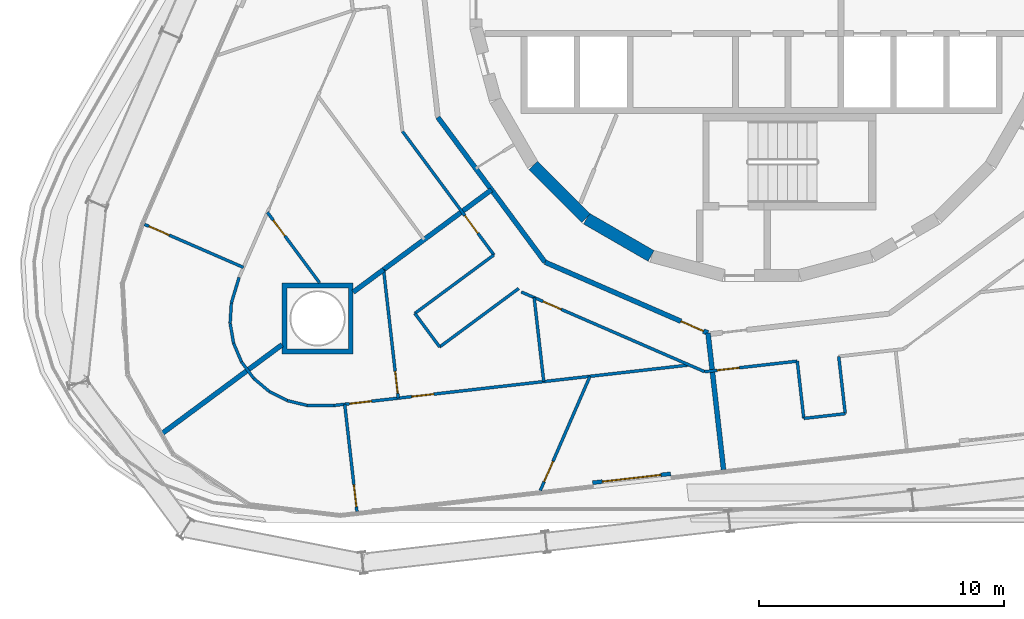
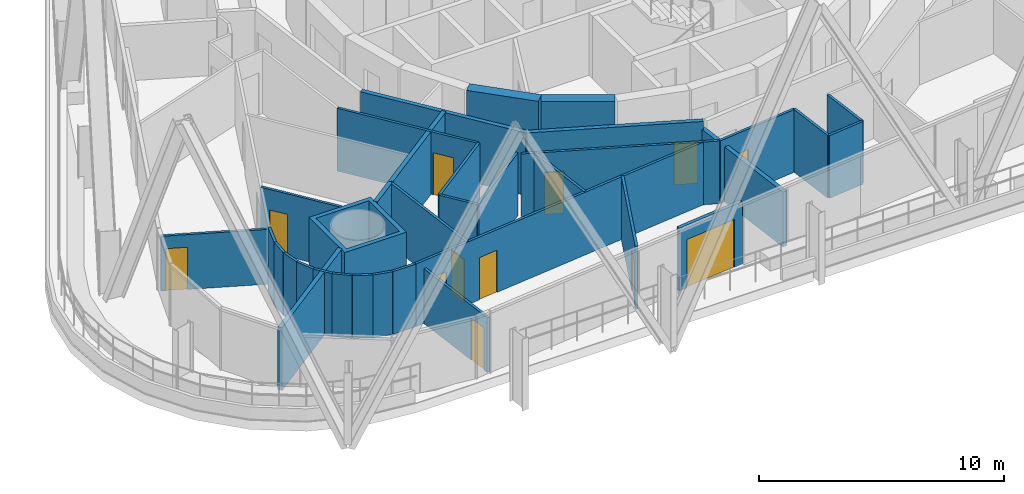
# One storey, part 16 of 32: 35 walls, 12 doors, 12 openings.
"""IFC4 building model written with IfcOpenShell, lengths in metres."""

from ifc_helpers import new_model, si_unit, direction, frame, frame_2d, origin, place, context, subcontext, project, spatial, polyline, rectangle, outline, extrude, material, layer, layer_set, type_object, element, fill, save


model = new_model("IFC4")

# Units and contexts
model_context = context("Model", 3, precision=1e-05, world=origin(), true_north=direction((0.0, 1.0)))
body_context = subcontext(model_context, "Body", "Model", "MODEL_VIEW")
ifc_project = project(units=[si_unit("LENGTHUNIT", "METRE"), si_unit("AREAUNIT", "SQUARE_METRE"), si_unit("VOLUMEUNIT", "CUBIC_METRE"), si_unit("PLANEANGLEUNIT", "RADIAN"), si_unit("MASSUNIT", "GRAM", prefix="KILO")], contexts=[model_context])

# Site, building, storey
site_placement = place(None, origin())
site = spatial("IfcSite", under=ifc_project, at=site_placement, CompositionType="ELEMENT")
building_placement = place(site_placement, origin())
building = spatial("IfcBuilding", under=site, at=building_placement, Name="Spindle Arch Residences", CompositionType="ELEMENT")
storey_placement = place(building_placement, frame((0.0, 0.0, 76.699951171875)))
storey = spatial("IfcBuildingStorey", under=building, at=storey_placement, Name="L17", CompositionType="ELEMENT", Elevation=76.699951171875)

# Walls
ifc_material_1 = material(Name="Concrete C50/60", Category="concrete")
ifc_layer_1 = layer(ifc_material_1, 0.5)
ifc_layer_set_1 = layer_set([ifc_layer_1], Name="Core outline wall 500")
wall_type_1 = type_object("IfcWallType", Name="Core outline wall 500", PredefinedType="SHEAR", material=ifc_layer_set_1)
wall_1_placement = place(storey_placement, frame((-9.30810546875, -7.163818359375, 0.0), z_axis=(0.0, 0.0, 1.0), x_axis=(0.707106781187, -0.707106781187, 0.0)))
element("IfcWall", 1, at=wall_1_placement, inside=storey, type_object=wall_type_1, Name="Core outline wall 21", PredefinedType="SHEAR", context=body_context, shape_type="SweptSolid", body=[
    extrude(rectangle(XDim=3.032470703125, YDim=0.5, at=frame_2d((1.51611328125, 0.0))), origin(), (0.0, 0.0, 1.0), 3.1201171875),
])
wall_2_placement = place(storey_placement, frame((-7.13671875, -9.32861328125, 0.0), z_axis=(0.0, 0.0, 1.0), x_axis=(0.865975092491, -0.500087131594, 0.0)))
element("IfcWall", 2, at=wall_2_placement, inside=storey, type_object=wall_type_1, Name="Core outline wall 22", PredefinedType="SHEAR", context=body_context, shape_type="SweptSolid", body=[
    extrude(rectangle(XDim=3.03271484375, YDim=0.5, at=frame_2d((1.516357421875, 0.0))), origin(), (0.0, 0.0, 1.0), 3.1201171875),
])
ifc_material_2 = material(Name="Calcium silicate block, plastered")
ifc_layer_2 = layer(ifc_material_2, 0.199951171875)
ifc_layer_set_2 = layer_set([ifc_layer_2], Name="Corridor wall 200")
wall_type_2 = type_object("IfcWallType", Name="Corridor wall 200", PredefinedType="STANDARD", material=ifc_layer_set_2)
wall_3_placement = place(storey_placement, frame((-13.1962890625, -5.1982421875, 0.0), z_axis=(0.0, 0.0, 1.0), x_axis=(0.594805187394, -0.803869883159, 0.0)))
element("IfcWall", 3, at=wall_3_placement, inside=storey, type_object=wall_type_2, Name="Corridor wall R2A0-W012", PredefinedType="STANDARD", context=body_context, shape_type="SweptSolid", body=[
    extrude(rectangle(XDim=7.341796875, YDim=0.199951171875, at=frame_2d((3.6708984375, 0.0))), origin(), (0.0, 0.0, 1.0), 3.1201171875),
])

# Wall, opening, door
wall_4_placement = place(storey_placement, frame((-8.829345703125, -11.10009765625, 0.0), z_axis=(0.0, 0.0, 1.0), x_axis=(0.917063622491, -0.398740908742, 0.0)))
wall_4 = element("IfcWall", 4, at=wall_4_placement, inside=storey, type_object=wall_type_2, Name="Corridor wall R2A0-W013", PredefinedType="STANDARD", context=body_context, shape_type="SweptSolid", body=[
    extrude(rectangle(XDim=7.239501953125, YDim=0.199951171875, at=frame_2d((3.61962890625, 0.0))), origin(), (0.0, 0.0, 1.0), 3.1201171875),
])
opening_1_placement = place(wall_4_placement, frame((6.03955078125, 0.0, 0.0)))
opening_1 = element("IfcOpeningElement", 5, at=opening_1_placement, cuts=wall_4, Name="Opening R2A0-FD05", PredefinedType="OPENING", context=body_context, shape_type="SweptSolid", body=[
    extrude(rectangle(XDim=1.0, YDim=2.10009765625, at=frame_2d((0.5, 1.050048828125))), frame((0.0, 0.10986328125, 0.0), z_axis=(0.0, -1.0, 0.0), x_axis=(1.0, 0.0, 0.0)), (0.0, 0.0, 1.0), 0.219970703125),
])
ifc_material_3 = material(Name="Timber, fire-resisting door set", Category="wood")
door_type_1 = type_object("IfcDoorType", Name="Flat entrance door 1000x2100", OperationType="NOTDEFINED", PredefinedType="DOOR", material=ifc_material_3)
door_1_placement = place(opening_1_placement, origin())
door_1 = element("IfcDoor", 6, at=door_1_placement, inside=storey, type_object=door_type_1, Name="Flat entrance door R2A0-FD05", OperationType="SINGLE_SWING_LEFT", OverallHeight=2.10009765625, OverallWidth=1.0, PredefinedType="DOOR", context=body_context, shape_type="SweptSolid", body=[
    extrude(rectangle(XDim=1.0, YDim=2.10009765625, at=frame_2d((0.5, 1.050048828125))), frame((0.0, 0.02490234375, 0.0), z_axis=(0.0, -1.0, 0.0), x_axis=(1.0, 0.0, 0.0)), (0.0, 0.0, 1.0), 0.050048828125),
])
fill(opening_1, door_1)

ifc_material_4 = material(Name="Plasterboard on steel studs", Category="steel")
ifc_layer_3 = layer(ifc_material_4, 0.1201171875)
ifc_layer_set_3 = layer_set([ifc_layer_3], Name="Flat partition 120")
wall_type_3 = type_object("IfcWallType", Name="Flat partition 120", PredefinedType="PARTITIONING", material=ifc_layer_set_3)
wall_5_placement = place(storey_placement, frame((-14.64111328125, -5.767333984375, 0.0), z_axis=(0.0, 0.0, 1.0), x_axis=(0.594825885962, -0.803854567313, 0.0)))
wall_5 = element("IfcWall", 7, at=wall_5_placement, inside=storey, type_object=wall_type_3, Name="Flat partition R2A0-W089", PredefinedType="PARTITIONING", context=body_context, shape_type="SweptSolid", body=[
    extrude(rectangle(XDim=6.26611328125, YDim=0.1201171875, at=frame_2d((3.133056640625, 0.0))), origin(), (0.0, 0.0, 1.0), 3.1201171875),
])
opening_2_placement = place(wall_5_placement, frame((4.272705078125, 0.0, 0.0)))
opening_2 = element("IfcOpeningElement", 8, at=opening_2_placement, cuts=wall_5, Name="Opening R2A0-ID23", PredefinedType="OPENING", context=body_context, shape_type="SweptSolid", body=[
    extrude(rectangle(XDim=0.89990234375, YDim=2.10009765625, at=frame_2d((0.449951171875, 1.050048828125))), frame((0.0, 0.070068359375, 0.0), z_axis=(0.0, -1.0, 0.0), x_axis=(1.0, 0.0, 0.0)), (0.0, 0.0, 1.0), 0.14013671875),
])
ifc_material_5 = material(Name="Timber door set", Category="wood")
door_type_2 = type_object("IfcDoorType", Name="Room door 900x2100", OperationType="NOTDEFINED", PredefinedType="DOOR", material=ifc_material_5)
door_2_placement = place(opening_2_placement, origin())
door_2 = element("IfcDoor", 9, at=door_2_placement, inside=storey, type_object=door_type_2, Name="Room door R2A0-ID23", OperationType="SINGLE_SWING_LEFT", OverallHeight=2.10009765625, OverallWidth=0.89990234375, PredefinedType="DOOR", context=body_context, shape_type="SweptSolid", body=[
    extrude(rectangle(XDim=0.89990234375, YDim=2.10009765625, at=frame_2d((0.449951171875, 1.050048828125))), frame((0.0, 0.02490234375, 0.0), z_axis=(0.0, -1.0, 0.0), x_axis=(1.0, 0.0, 0.0)), (0.0, 0.0, 1.0), 0.050048828125),
])
fill(opening_2, door_2)

wall_6_placement = place(storey_placement, frame((-20.144287109375, -9.068359375, 0.0), z_axis=(0.0, 0.0, 1.0), x_axis=(0.59487477233, -0.803818390711, 0.0)))
wall_6 = element("IfcWall", 10, at=wall_6_placement, inside=storey, type_object=wall_type_3, Name="Flat partition R2A0-W094", PredefinedType="PARTITIONING", context=body_context, shape_type="SweptSolid", body=[
    extrude(rectangle(XDim=3.575439453125, YDim=0.1201171875, at=frame_2d((1.78759765625, 0.0))), origin(), (0.0, 0.0, 1.0), 3.1201171875),
])
opening_3_placement = place(wall_6_placement, frame((0.39990234375, 0.0, 0.0)))
opening_3 = element("IfcOpeningElement", 11, at=opening_3_placement, cuts=wall_6, Name="Opening R2A0-BD05", PredefinedType="OPENING", context=body_context, shape_type="SweptSolid", body=[
    extrude(rectangle(XDim=0.800048828125, YDim=2.10009765625, at=frame_2d((0.39990234375, 1.050048828125))), frame((0.0, 0.070068359375, 0.0), z_axis=(0.0, -1.0, 0.0), x_axis=(1.0, 0.0, 0.0)), (0.0, 0.0, 1.0), 0.14013671875),
])
ifc_material_6 = material(Name="Timber door set", Category="wood")
door_type_3 = type_object("IfcDoorType", Name="Bathroom door 800x2100", OperationType="NOTDEFINED", PredefinedType="DOOR", material=ifc_material_6)
door_3_placement = place(opening_3_placement, origin())
door_3 = element("IfcDoor", 12, at=door_3_placement, inside=storey, type_object=door_type_3, Name="Bathroom door R2A0-BD05", OperationType="SINGLE_SWING_RIGHT", OverallHeight=2.10009765625, OverallWidth=0.800048828125, PredefinedType="DOOR", context=body_context, shape_type="SweptSolid", body=[
    extrude(rectangle(XDim=0.800048828125, YDim=2.10009765625, at=frame_2d((0.39990234375, 1.050048828125))), frame((0.0, 0.02490234375, 0.0), z_axis=(0.0, -1.0, 0.0), x_axis=(1.0, 0.0, 0.0)), (0.0, 0.0, 1.0), 0.050048828125),
])
fill(opening_3, door_3)

# Walls
for number, where, z_axis, x_axis, name in (
    (13, (-20.702880859375, -15.834716796875, 0.0), (0.0, 0.0, 1.0), (-0.594755442796, 0.803906688158, 0.0), "Flat partition R2A0-W095"),
    (14, (-21.19580078125, -15.16845703125, 0.0), (0.0, 0.0, 1.0), (-0.393528213057, 0.919312539634, 0.0), "Flat partition R2A0-W096"),
):
    element("IfcWall", number, at=place(storey_placement, frame(where, z_axis=z_axis, x_axis=x_axis)), inside=storey, type_object=wall_type_3, Name=name, PredefinedType="PARTITIONING", context=body_context, shape_type="SweptSolid", body=[
        extrude(rectangle(XDim=0.828857421875, YDim=0.1201171875, at=frame_2d((0.41455078125, 0.0))), origin(), (0.0, 0.0, 1.0), 3.1201171875),
    ])
wall_7_placement = place(storey_placement, frame((-21.52197265625, -14.406494140625, 0.0), z_axis=(0.0, 0.0, 1.0), x_axis=(-0.170794347099, 0.985306698952, 0.0)))
element("IfcWall", 15, at=wall_7_placement, inside=storey, type_object=wall_type_3, Name="Flat partition R2A0-W097", PredefinedType="PARTITIONING", context=body_context, shape_type="SweptSolid", body=[
    extrude(rectangle(XDim=0.8291015625, YDim=0.1201171875, at=frame_2d((0.41455078125, 0.0))), origin(), (0.0, 0.0, 1.0), 3.1201171875),
])
wall_8_placement = place(storey_placement, frame((-21.66357421875, -13.589599609375, 0.0), z_axis=(0.0, 0.0, 1.0), x_axis=(0.061277779288, 0.998120751095, 0.0)))
element("IfcWall", 16, at=wall_8_placement, inside=storey, type_object=wall_type_3, Name="Flat partition R2A0-W098", PredefinedType="PARTITIONING", context=body_context, shape_type="SweptSolid", body=[
    extrude(rectangle(XDim=0.82861328125, YDim=0.1201171875, at=frame_2d((0.414306640625, 0.0))), origin(), (0.0, 0.0, 1.0), 3.1201171875),
])
wall_9_placement = place(storey_placement, frame((-21.61279296875, -12.762451171875, 0.0), z_axis=(0.0, 0.0, 1.0), x_axis=(0.289552239308, 0.95716221233, 0.0)))
element("IfcWall", 17, at=wall_9_placement, inside=storey, type_object=wall_type_3, Name="Flat partition R2A0-W099", PredefinedType="PARTITIONING", context=body_context, shape_type="SweptSolid", body=[
    extrude(rectangle(XDim=1.0869140625, YDim=0.1201171875, at=frame_2d((0.54345703125, 0.0))), origin(), (0.0, 0.0, 1.0), 3.1201171875),
])
wall_10_placement = place(storey_placement, frame((-10.913818359375, -10.804443359375, 0.0), z_axis=(0.0, 0.0, 1.0), x_axis=(-0.803864616889, -0.594812304609, 0.0)))
element("IfcWall", 18, at=wall_10_placement, inside=storey, type_object=wall_type_3, Name="Flat partition R2A0-W100", PredefinedType="PARTITIONING", context=body_context, shape_type="SweptSolid", body=[
    extrude(rectangle(XDim=4.008056640625, YDim=0.1201171875, at=frame_2d((2.00390625, 0.0))), origin(), (0.0, 0.0, 1.0), 3.1201171875),
])
wall_11_placement = place(storey_placement, frame((-14.1357421875, -13.1884765625, 0.0), z_axis=(0.0, 0.0, 1.0), x_axis=(0.594863421241, -0.803826791087, 0.0)))
element("IfcWall", 19, at=wall_11_placement, inside=storey, type_object=wall_type_3, Name="Flat partition R2A0-W101", PredefinedType="PARTITIONING", context=body_context, shape_type="SweptSolid", body=[
    extrude(rectangle(XDim=1.699951171875, YDim=0.1201171875, at=frame_2d((0.85009765625, 0.0))), origin(), (0.0, 0.0, 1.0), 3.1201171875),
])
wall_12_placement = place(storey_placement, frame((-13.12451171875, -14.554931640625, 0.0), z_axis=(0.0, 0.0, 1.0), x_axis=(0.80389374229, 0.594772940799, 0.0)))
element("IfcWall", 20, at=wall_12_placement, inside=storey, type_object=wall_type_3, Name="Flat partition R2A0-W102", PredefinedType="PARTITIONING", context=body_context, shape_type="SweptSolid", body=[
    extrude(rectangle(XDim=4.0078125, YDim=0.1201171875, at=frame_2d((2.00390625, 0.0))), origin(), (0.0, 0.0, 1.0), 3.1201171875),
])

# Wall, opening, door
wall_13_placement = place(storey_placement, frame((-9.7958984375, -12.315185546875, 0.0), z_axis=(0.0, 0.0, 1.0), x_axis=(0.917059572812, -0.398750222463, 0.0)))
wall_13 = element("IfcWall", 21, at=wall_13_placement, inside=storey, type_object=wall_type_3, Name="Flat partition R2A0-W103", PredefinedType="PARTITIONING", context=body_context, shape_type="SweptSolid", body=[
    extrude(rectangle(XDim=8.1455078125, YDim=0.1201171875, at=frame_2d((4.07275390625, 0.0))), origin(), (0.0, 0.0, 1.0), 3.1201171875),
])
opening_4_placement = place(wall_13_placement, frame((0.969482421875, 0.0, 0.0)))
opening_4 = element("IfcOpeningElement", 22, at=opening_4_placement, cuts=wall_13, Name="Opening R2A0-BD06", PredefinedType="OPENING", context=body_context, shape_type="SweptSolid", body=[
    extrude(rectangle(XDim=0.800048828125, YDim=2.10009765625, at=frame_2d((0.39990234375, 1.050048828125))), frame((0.0, 0.070068359375, 0.0), z_axis=(0.0, -1.0, 0.0), x_axis=(1.0, 0.0, 0.0)), (0.0, 0.0, 1.0), 0.14013671875),
])
door_4_placement = place(opening_4_placement, origin())
door_4 = element("IfcDoor", 23, at=door_4_placement, inside=storey, type_object=door_type_3, Name="Bathroom door R2A0-BD06", OperationType="SINGLE_SWING_LEFT", OverallHeight=2.10009765625, OverallWidth=0.800048828125, PredefinedType="DOOR", context=body_context, shape_type="SweptSolid", body=[
    extrude(rectangle(XDim=0.800048828125, YDim=2.10009765625, at=frame_2d((0.39990234375, 1.050048828125))), frame((0.0, 0.02490234375, 0.0), z_axis=(0.0, -1.0, 0.0), x_axis=(1.0, 0.0, 0.0)), (0.0, 0.0, 1.0), 0.050048828125),
])
fill(opening_4, door_4)

wall_14_placement = place(storey_placement, frame((-2.325927734375, -15.563232421875, 0.0), z_axis=(0.0, 0.0, 1.0), x_axis=(0.993575068384, 0.113175012641, 0.0)))
wall_14 = element("IfcWall", 24, at=wall_14_placement, inside=storey, type_object=wall_type_3, Name="Flat partition R2A0-W104", PredefinedType="PARTITIONING", context=body_context, shape_type="SweptSolid", body=[
    extrude(rectangle(XDim=3.798828125, YDim=0.1201171875, at=frame_2d((1.8994140625, 0.0))), origin(), (0.0, 0.0, 1.0), 3.1201171875),
])
opening_5_placement = place(wall_14_placement, frame((0.513427734375, 0.0, 0.0)))
opening_5 = element("IfcOpeningElement", 25, at=opening_5_placement, cuts=wall_14, Name="Opening R2A0-ID29", PredefinedType="OPENING", context=body_context, shape_type="SweptSolid", body=[
    extrude(rectangle(XDim=0.89990234375, YDim=2.10009765625, at=frame_2d((0.449951171875, 1.050048828125))), frame((0.0, 0.070068359375, 0.0), z_axis=(0.0, -1.0, 0.0), x_axis=(1.0, 0.0, 0.0)), (0.0, 0.0, 1.0), 0.14013671875),
])
door_5_placement = place(opening_5_placement, origin())
door_5 = element("IfcDoor", 26, at=door_5_placement, inside=storey, type_object=door_type_2, Name="Room door R2A0-ID29", OperationType="SINGLE_SWING_LEFT", OverallHeight=2.10009765625, OverallWidth=0.89990234375, PredefinedType="DOOR", context=body_context, shape_type="SweptSolid", body=[
    extrude(rectangle(XDim=0.89990234375, YDim=2.10009765625, at=frame_2d((0.449951171875, 1.050048828125))), frame((0.0, 0.02490234375, 0.0), z_axis=(0.0, -1.0, 0.0), x_axis=(1.0, 0.0, 0.0)), (0.0, 0.0, 1.0), 0.050048828125),
])
fill(opening_5, door_5)

# Walls
for number, where, z_axis, x_axis, name in (
    (27, (-20.702880859375, -15.834716796875, 0.0), (0.0, 0.0, 1.0), (0.764223440539, -0.644951574097, 0.0), "Flat partition R2A0-W105"),
    (28, (-20.0693359375, -16.369384765625, 0.0), (0.0, 0.0, 1.0), (0.89229682893, -0.451449187706, 0.0), "Flat partition R2A0-W106"),
):
    element("IfcWall", number, at=place(storey_placement, frame(where, z_axis=z_axis, x_axis=x_axis)), inside=storey, type_object=wall_type_3, Name=name, PredefinedType="PARTITIONING", context=body_context, shape_type="SweptSolid", body=[
        extrude(rectangle(XDim=0.8291015625, YDim=0.1201171875, at=frame_2d((0.41455078125, 0.0))), origin(), (0.0, 0.0, 1.0), 3.1201171875),
    ])
wall_15_placement = place(storey_placement, frame((-19.32958984375, -16.74365234375, 0.0), z_axis=(0.0, 0.0, 1.0), x_axis=(0.972403343288, -0.23330610357, 0.0)))
element("IfcWall", 29, at=wall_15_placement, inside=storey, type_object=wall_type_3, Name="Flat partition R2A0-W107", PredefinedType="PARTITIONING", context=body_context, shape_type="SweptSolid", body=[
    extrude(rectangle(XDim=0.828857421875, YDim=0.1201171875, at=frame_2d((0.41455078125, 0.0))), origin(), (0.0, 0.0, 1.0), 3.1201171875),
])
wall_16_placement = place(storey_placement, frame((-18.523681640625, -16.93701171875, 0.0), z_axis=(0.0, 0.0, 1.0), x_axis=(0.999995736722, -0.00292002349, 0.0)))
element("IfcWall", 30, at=wall_16_placement, inside=storey, type_object=wall_type_3, Name="Flat partition R2A0-W108", PredefinedType="PARTITIONING", context=body_context, shape_type="SweptSolid", body=[
    extrude(rectangle(XDim=1.0869140625, YDim=0.1201171875, at=frame_2d((0.54345703125, 0.0))), origin(), (0.0, 0.0, 1.0), 3.1201171875),
])

# Wall, openings, doors
wall_17_placement = place(storey_placement, frame((-17.436767578125, -16.940185546875, 0.0), z_axis=(0.0, 0.0, 1.0), x_axis=(0.993573314119, 0.113190412448, 0.0)))
wall_17 = element("IfcWall", 31, at=wall_17_placement, inside=storey, type_object=wall_type_3, Name="Flat partition R2A0-W109", PredefinedType="PARTITIONING", context=body_context, shape_type="SweptSolid", body=[
    extrude(rectangle(XDim=14.576416015625, YDim=0.1201171875, at=frame_2d((7.2880859375, 0.0))), origin(), (0.0, 0.0, 1.0), 3.1201171875),
])
opening_6_placement = place(wall_17_placement, frame((3.20068359375, 0.0, 0.0)))
opening_6 = element("IfcOpeningElement", 32, at=opening_6_placement, cuts=wall_17, Name="Opening R2A0-ID25", PredefinedType="OPENING", context=body_context, shape_type="SweptSolid", body=[
    extrude(rectangle(XDim=0.89990234375, YDim=2.10009765625, at=frame_2d((0.449951171875, 1.050048828125))), frame((0.0, 0.070068359375, 0.0), z_axis=(0.0, -1.0, 0.0), x_axis=(1.0, 0.0, 0.0)), (0.0, 0.0, 1.0), 0.14013671875),
])
opening_7_placement = place(wall_17_placement, frame((0.645263671875, 0.0, 0.0)))
opening_7 = element("IfcOpeningElement", 33, at=opening_7_placement, cuts=wall_17, Name="Opening R2A0-ID28", PredefinedType="OPENING", context=body_context, shape_type="SweptSolid", body=[
    extrude(rectangle(XDim=0.89990234375, YDim=2.10009765625, at=frame_2d((0.449951171875, 1.050048828125))), frame((0.0, 0.070068359375, 0.0), z_axis=(0.0, -1.0, 0.0), x_axis=(1.0, 0.0, 0.0)), (0.0, 0.0, 1.0), 0.14013671875),
])
door_6_placement = place(opening_6_placement, origin())
door_6 = element("IfcDoor", 34, at=door_6_placement, inside=storey, type_object=door_type_2, Name="Room door R2A0-ID25", OperationType="SINGLE_SWING_LEFT", OverallHeight=2.10009765625, OverallWidth=0.89990234375, PredefinedType="DOOR", context=body_context, shape_type="SweptSolid", body=[
    extrude(rectangle(XDim=0.89990234375, YDim=2.10009765625, at=frame_2d((0.449951171875, 1.050048828125))), frame((0.0, 0.02490234375, 0.0), z_axis=(0.0, -1.0, 0.0), x_axis=(1.0, 0.0, 0.0)), (0.0, 0.0, 1.0), 0.050048828125),
])
fill(opening_6, door_6)
door_7_placement = place(opening_7_placement, origin())
door_7 = element("IfcDoor", 35, at=door_7_placement, inside=storey, type_object=door_type_2, Name="Room door R2A0-ID28", OperationType="SINGLE_SWING_RIGHT", OverallHeight=2.10009765625, OverallWidth=0.89990234375, PredefinedType="DOOR", context=body_context, shape_type="SweptSolid", body=[
    extrude(rectangle(XDim=0.89990234375, YDim=2.10009765625, at=frame_2d((0.449951171875, 1.050048828125))), frame((0.0, 0.02490234375, 0.0), z_axis=(0.0, -1.0, 0.0), x_axis=(1.0, 0.0, 0.0)), (0.0, 0.0, 1.0), 0.050048828125),
])
fill(opening_7, door_7)

# Wall, opening, door
wall_18_placement = place(storey_placement, frame((-14.81298828125, -16.641357421875, 0.0), z_axis=(0.0, 0.0, 1.0), x_axis=(-0.113210971478, 0.993570971767, 0.0)))
wall_18 = element("IfcWall", 36, at=wall_18_placement, inside=storey, type_object=wall_type_3, Name="Flat partition R2A0-W110", PredefinedType="PARTITIONING", context=body_context, shape_type="SweptSolid", body=[
    extrude(rectangle(XDim=5.272705078125, YDim=0.1201171875, at=frame_2d((2.63623046875, 0.0))), origin(), (0.0, 0.0, 1.0), 3.1201171875),
])
opening_8_placement = place(wall_18_placement, frame((0.199951171875, 0.0, 0.0)))
opening_8 = element("IfcOpeningElement", 37, at=opening_8_placement, cuts=wall_18, Name="Opening R2A0-ID24", PredefinedType="OPENING", context=body_context, shape_type="SweptSolid", body=[
    extrude(rectangle(XDim=0.89990234375, YDim=2.10009765625, at=frame_2d((0.449951171875, 1.050048828125))), frame((0.0, 0.070068359375, 0.0), z_axis=(0.0, -1.0, 0.0), x_axis=(1.0, 0.0, 0.0)), (0.0, 0.0, 1.0), 0.14013671875),
])
door_8_placement = place(opening_8_placement, origin())
door_8 = element("IfcDoor", 38, at=door_8_placement, inside=storey, type_object=door_type_2, Name="Room door R2A0-ID24", OperationType="SINGLE_SWING_LEFT", OverallHeight=2.10009765625, OverallWidth=0.89990234375, PredefinedType="DOOR", context=body_context, shape_type="SweptSolid", body=[
    extrude(rectangle(XDim=0.89990234375, YDim=2.10009765625, at=frame_2d((0.449951171875, 1.050048828125))), frame((0.0, 0.02490234375, 0.0), z_axis=(0.0, -1.0, 0.0), x_axis=(1.0, 0.0, 0.0)), (0.0, 0.0, 1.0), 0.050048828125),
])
fill(opening_8, door_8)

# Wall
wall_19_placement = place(storey_placement, frame((-8.883544921875, -15.9658203125, 0.0), z_axis=(0.0, 0.0, 1.0), x_axis=(-0.113230836929, 0.993568708026, 0.0)))
element("IfcWall", 39, at=wall_19_placement, inside=storey, type_object=wall_type_3, Name="Flat partition R2A0-W112", PredefinedType="PARTITIONING", context=body_context, shape_type="SweptSolid", body=[
    extrude(rectangle(XDim=3.445556640625, YDim=0.1201171875, at=frame_2d((1.72265625, 0.0))), origin(), (0.0, 0.0, 1.0), 3.1201171875),
])

# Wall, opening, door
wall_20_placement = place(storey_placement, frame((-9.025634765625, -20.410400390625, 0.0), z_axis=(0.0, 0.0, 1.0), x_axis=(0.398750711167, 0.917059360316, 0.0)))
wall_20 = element("IfcWall", 40, at=wall_20_placement, inside=storey, type_object=wall_type_3, Name="Flat partition R2A0-W113", PredefinedType="PARTITIONING", context=body_context, shape_type="SweptSolid", body=[
    extrude(rectangle(XDim=5.08056640625, YDim=0.1201171875, at=frame_2d((2.540283203125, 0.0))), origin(), (0.0, 0.0, 1.0), 3.1201171875),
])
opening_9_placement = place(wall_20_placement, frame((0.39990234375, 0.0, 0.0)))
opening_9 = element("IfcOpeningElement", 41, at=opening_9_placement, cuts=wall_20, Name="Opening R2A0-ID27", PredefinedType="OPENING", context=body_context, shape_type="SweptSolid", body=[
    extrude(rectangle(XDim=0.89990234375, YDim=2.10009765625, at=frame_2d((0.449951171875, 1.050048828125))), frame((0.0, 0.070068359375, 0.0), z_axis=(0.0, -1.0, 0.0), x_axis=(1.0, 0.0, 0.0)), (0.0, 0.0, 1.0), 0.14013671875),
])
door_9_placement = place(opening_9_placement, origin())
door_9 = element("IfcDoor", 42, at=door_9_placement, inside=storey, type_object=door_type_2, Name="Room door R2A0-ID27", OperationType="SINGLE_SWING_RIGHT", OverallHeight=2.10009765625, OverallWidth=0.89990234375, PredefinedType="DOOR", context=body_context, shape_type="SweptSolid", body=[
    extrude(rectangle(XDim=0.89990234375, YDim=2.10009765625, at=frame_2d((0.449951171875, 1.050048828125))), frame((0.0, 0.02490234375, 0.0), z_axis=(0.0, -1.0, 0.0), x_axis=(1.0, 0.0, 0.0)), (0.0, 0.0, 1.0), 0.050048828125),
])
fill(opening_9, door_9)

# Walls
wall_21_placement = place(storey_placement, frame((1.448486328125, -15.13330078125, 0.0), z_axis=(0.0, 0.0, 1.0), x_axis=(0.113180189053, -0.993574478741, 0.0)))
element("IfcWall", 43, at=wall_21_placement, inside=storey, type_object=wall_type_3, Name="Flat partition R2A0-W114", PredefinedType="PARTITIONING", context=body_context, shape_type="SweptSolid", body=[
    extrude(rectangle(XDim=2.34912109375, YDim=0.1201171875, at=frame_2d((1.174560546875, 0.0))), origin(), (0.0, 0.0, 1.0), 3.1201171875),
])
wall_22_placement = place(storey_placement, frame((1.71435546875, -17.46728515625, 0.0), z_axis=(0.0, 0.0, 1.0), x_axis=(0.993577030812, 0.113157782957, 0.0)))
element("IfcWall", 44, at=wall_22_placement, inside=storey, type_object=wall_type_3, Name="Flat partition R2A0-W115", PredefinedType="PARTITIONING", context=body_context, shape_type="SweptSolid", body=[
    extrude(rectangle(XDim=1.7001953125, YDim=0.1201171875, at=frame_2d((0.85009765625, 0.0))), origin(), (0.0, 0.0, 1.0), 3.1201171875),
])
wall_23_placement = place(storey_placement, frame((3.403564453125, -17.27490234375, 0.0), z_axis=(0.0, 0.0, 1.0), x_axis=(-0.113180189053, 0.993574478741, 0.0)))
element("IfcWall", 45, at=wall_23_placement, inside=storey, type_object=wall_type_3, Name="Flat partition R2A0-W116", PredefinedType="PARTITIONING", context=body_context, shape_type="SweptSolid", body=[
    extrude(rectangle(XDim=2.34912109375, YDim=0.1201171875, at=frame_2d((1.174560546875, 0.0))), origin(), (0.0, 0.0, 1.0), 3.1201171875),
])

# Wall, opening, door
ifc_material_7 = material(Name="Plasterboard on steel studs", Category="steel")
ifc_layer_4 = layer(ifc_material_7, 0.1201171875)
ifc_layer_set_4 = layer_set([ifc_layer_4], Name="Flat partition 120 under beam 2730")
wall_type_4 = type_object("IfcWallType", Name="Flat partition 120 under beam 2730", PredefinedType="PARTITIONING", material=ifc_layer_set_4)
wall_24_placement = place(storey_placement, frame((-25.155517578125, -9.55908203125, 0.0), z_axis=(0.0, 0.0, 1.0), x_axis=(0.917042707292, -0.398789008127, 0.0)))
wall_24 = element("IfcWall", 46, at=wall_24_placement, inside=storey, type_object=wall_type_4, Name="Flat partition R2A0-W092", PredefinedType="PARTITIONING", context=body_context, shape_type="SweptSolid", body=[
    extrude(rectangle(XDim=4.39990234375, YDim=0.1201171875, at=frame_2d((2.199951171875, 0.0))), origin(), (0.0, 0.0, 1.0), 2.72998046875),
])
opening_10_placement = place(wall_24_placement, frame((0.199951171875, 0.0, 0.0)))
opening_10 = element("IfcOpeningElement", 47, at=opening_10_placement, cuts=wall_24, Name="Opening R2A0-ID22", PredefinedType="OPENING", context=body_context, shape_type="SweptSolid", body=[
    extrude(rectangle(XDim=0.89990234375, YDim=2.10009765625, at=frame_2d((0.449951171875, 1.050048828125))), frame((0.0, 0.070068359375, 0.0), z_axis=(0.0, -1.0, 0.0), x_axis=(1.0, 0.0, 0.0)), (0.0, 0.0, 1.0), 0.14013671875),
])
door_10_placement = place(opening_10_placement, origin())
door_10 = element("IfcDoor", 48, at=door_10_placement, inside=storey, type_object=door_type_2, Name="Room door R2A0-ID22", OperationType="SINGLE_SWING_RIGHT", OverallHeight=2.10009765625, OverallWidth=0.89990234375, PredefinedType="DOOR", context=body_context, shape_type="SweptSolid", body=[
    extrude(rectangle(XDim=0.89990234375, YDim=2.10009765625, at=frame_2d((0.449951171875, 1.050048828125))), frame((0.0, 0.02490234375, 0.0), z_axis=(0.0, -1.0, 0.0), x_axis=(1.0, 0.0, 0.0)), (0.0, 0.0, 1.0), 0.050048828125),
])
fill(opening_10, door_10)

wall_25_placement = place(storey_placement, frame((-16.49609375, -21.26171875, 0.0), z_axis=(0.0, 0.0, 1.0), x_axis=(-0.1132445713, 0.993567142709, 0.0)))
wall_25 = element("IfcWall", 49, at=wall_25_placement, inside=storey, type_object=wall_type_4, Name="Flat partition R2A0-W111", PredefinedType="PARTITIONING", context=body_context, shape_type="SweptSolid", body=[
    extrude(rectangle(XDim=4.400146484375, YDim=0.1201171875, at=frame_2d((2.2001953125, 0.0))), origin(), (0.0, 0.0, 1.0), 2.72998046875),
])
opening_11_placement = place(wall_25_placement, frame((0.199951171875, 0.0, 0.0)))
opening_11 = element("IfcOpeningElement", 50, at=opening_11_placement, cuts=wall_25, Name="Opening R2A0-ID26", PredefinedType="OPENING", context=body_context, shape_type="SweptSolid", body=[
    extrude(rectangle(XDim=0.89990234375, YDim=2.10009765625, at=frame_2d((0.449951171875, 1.050048828125))), frame((0.0, 0.070068359375, 0.0), z_axis=(0.0, -1.0, 0.0), x_axis=(1.0, 0.0, 0.0)), (0.0, 0.0, 1.0), 0.14013671875),
])
door_11_placement = place(opening_11_placement, origin())
door_11 = element("IfcDoor", 51, at=door_11_placement, inside=storey, type_object=door_type_2, Name="Room door R2A0-ID26", OperationType="SINGLE_SWING_LEFT", OverallHeight=2.10009765625, OverallWidth=0.89990234375, PredefinedType="DOOR", context=body_context, shape_type="SweptSolid", body=[
    extrude(rectangle(XDim=0.89990234375, YDim=2.10009765625, at=frame_2d((0.449951171875, 1.050048828125))), frame((0.0, 0.02490234375, 0.0), z_axis=(0.0, -1.0, 0.0), x_axis=(1.0, 0.0, 0.0)), (0.0, 0.0, 1.0), 0.050048828125),
])
fill(opening_11, door_11)

# Walls
ifc_material_8 = material(Name="Calcium silicate block, plastered")
ifc_layer_5 = layer(ifc_material_8, 0.199951171875)
ifc_layer_set_5 = layer_set([ifc_layer_5], Name="Flat party wall 200")
wall_type_5 = type_object("IfcWallType", Name="Flat party wall 200", PredefinedType="STANDARD", material=ifc_layer_set_5)
wall_26_placement = place(storey_placement, frame((-15.409912109375, -11.402587890625, 0.0), z_axis=(0.0, 0.0, 1.0), x_axis=(0.803887568227, 0.594781285558, 0.0)))
element("IfcWall", 52, at=wall_26_placement, inside=storey, type_object=wall_type_5, Name="Flat party wall R2A0-W024", PredefinedType="STANDARD", context=body_context, shape_type="SweptSolid", body=[
    extrude(rectangle(XDim=5.469970703125, YDim=0.199951171875, at=frame_2d((2.73486328125, 0.0))), origin(), (0.0, 0.0, 1.0), 3.1201171875),
])
wall_27_placement = place(storey_placement, frame((-16.64892578125, -12.319580078125, 0.0), z_axis=(0.0, 0.0, 1.0), x_axis=(0.803804030903, 0.594894175383, 0.0)))
element("IfcWall", 53, at=wall_27_placement, inside=storey, type_object=wall_type_5, Name="Flat party wall R2A0-W025", PredefinedType="STANDARD", context=body_context, shape_type="SweptSolid", body=[
    extrude(rectangle(XDim=1.54150390625, YDim=0.199951171875, at=frame_2d((0.770751953125, 0.0))), origin(), (0.0, 0.0, 1.0), 3.1201171875),
])
wall_28_placement = place(storey_placement, frame((-24.486083984375, -18.118896484375, 0.0), z_axis=(0.0, 0.0, 1.0), x_axis=(0.80384227933, 0.594842491726, 0.0)))
element("IfcWall", 54, at=wall_28_placement, inside=storey, type_object=wall_type_5, Name="Flat party wall R2A0-W026", PredefinedType="STANDARD", context=body_context, shape_type="SweptSolid", body=[
    extrude(rectangle(XDim=6.14208984375, YDim=0.199951171875, at=frame_2d((3.071044921875, 0.0))), origin(), (0.0, 0.0, 1.0), 3.1201171875),
])
ifc_material_9 = material(Name="Calcium silicate block, plastered")
ifc_layer_6 = layer(ifc_material_9, 0.199951171875)
ifc_layer_set_6 = layer_set([ifc_layer_6], Name="Flat party wall 200 under beam 2730")
wall_type_6 = type_object("IfcWallType", Name="Flat party wall 200 under beam 2730", PredefinedType="STANDARD", material=ifc_layer_set_6)
wall_29_placement = place(storey_placement, frame((-1.55517578125, -19.559326171875, 0.0), z_axis=(0.0, 0.0, 1.0), x_axis=(-0.113221250863, 0.993569800443, 0.0)))
element("IfcWall", 55, at=wall_29_placement, inside=storey, type_object=wall_type_6, Name="Flat party wall R2A0-W027", PredefinedType="STANDARD", context=body_context, shape_type="SweptSolid", body=[
    extrude(rectangle(XDim=5.608642578125, YDim=0.199951171875, at=frame_2d((2.80419921875, 0.0))), origin(), (0.0, 0.0, 1.0), 2.72998046875),
])

# Wall, opening, door
ifc_material_10 = material(Name="Non-combustible mineral wool insulated aluminium faced external wall (K0)", Category="aluminium")
ifc_layer_7 = layer(ifc_material_10, 0.159912109375)
ifc_layer_set_7 = layer_set([ifc_layer_7], Name="Insulated external wall panel 160")
wall_type_7 = type_object("IfcWallType", Name="Insulated external wall panel 160", PredefinedType="STANDARD", material=ifc_layer_set_7)
wall_30_placement = place(storey_placement, frame((-6.88916015625, -20.08642578125, 0.0), z_axis=(0.0, 0.0, 1.0), x_axis=(0.993578576686, 0.113144208648, 0.0)))
wall_30 = element("IfcWall", 56, at=wall_30_placement, inside=storey, type_object=wall_type_7, Name="External wall L17 bay 23", PredefinedType="STANDARD", context=body_context, shape_type="SweptSolid", body=[
    extrude(rectangle(XDim=3.199951171875, YDim=0.159912109375, at=frame_2d((1.60009765625, 0.0))), origin(), (0.0, 0.0, 1.0), 3.1201171875),
])
opening_12_placement = place(wall_30_placement, frame((0.39990234375, 0.0, 0.0)))
opening_12 = element("IfcOpeningElement", 57, at=opening_12_placement, cuts=wall_30, Name="Opening BD23", PredefinedType="OPENING", context=body_context, shape_type="SweptSolid", body=[
    extrude(rectangle(XDim=2.39990234375, YDim=2.39990234375, at=frame_2d((1.199951171875, 1.199951171875))), frame((0.0, 0.08984375, 0.0), z_axis=(0.0, -1.0, 0.0), x_axis=(1.0, 0.0, 0.0)), (0.0, 0.0, 1.0), 0.179931640625),
])
ifc_material_11 = material(Name="Bronze aluminium frame, tinted double glazing", Category="aluminium")
door_type_4 = type_object("IfcDoorType", Name="Sliding glazed balcony door 2400x2400", OperationType="DOUBLE_DOOR_SLIDING", PredefinedType="DOOR", material=ifc_material_11)
door_12_placement = place(opening_12_placement, origin())
door_12 = element("IfcDoor", 58, at=door_12_placement, inside=storey, type_object=door_type_4, Name="Balcony door BD23", OperationType="DOUBLE_DOOR_SLIDING", OverallHeight=2.39990234375, OverallWidth=2.39990234375, PredefinedType="DOOR", context=body_context, shape_type="SweptSolid", body=[
    extrude(rectangle(XDim=2.39990234375, YDim=2.39990234375, at=frame_2d((1.199951171875, 1.199951171875))), frame((0.0, 0.02490234375, 0.0), z_axis=(0.0, -1.0, 0.0), x_axis=(1.0, 0.0, 0.0)), (0.0, 0.0, 1.0), 0.050048828125),
])
fill(opening_12, door_12)

# Wall
ifc_material_12 = material(Name="Calcium silicate block, plastered")
ifc_layer_8 = layer(ifc_material_12, 0.199951171875)
ifc_layer_set_8 = layer_set([ifc_layer_8], Name="Mega-column casing wall 200")
wall_type_8 = type_object("IfcWallType", Name="Mega-column casing wall 200", PredefinedType="STANDARD", material=ifc_layer_set_8)
wall_31_placement = place(storey_placement, origin())
element("IfcWall", 59, at=wall_31_placement, inside=storey, type_object=wall_type_8, Name="Mega-column casing wall R2A0-WC02", PredefinedType="STANDARD", context=body_context, shape_type="SweptSolid", body=[
    extrude(outline(polyline([(-16.64892578125, -11.9423828125), (-16.64892578125, -14.842529296875), (-19.548828125, -14.842529296875), (-19.548828125, -11.9423828125), (-16.64892578125, -11.9423828125)]), holes=[polyline([(-19.348876953125, -14.642578125), (-16.848876953125, -14.642578125), (-16.848876953125, -12.142578125), (-19.348876953125, -12.142578125), (-19.348876953125, -14.642578125)])]), origin(), (0.0, 0.0, 1.0), 3.1201171875),
])

save(model, "model.ifc")
